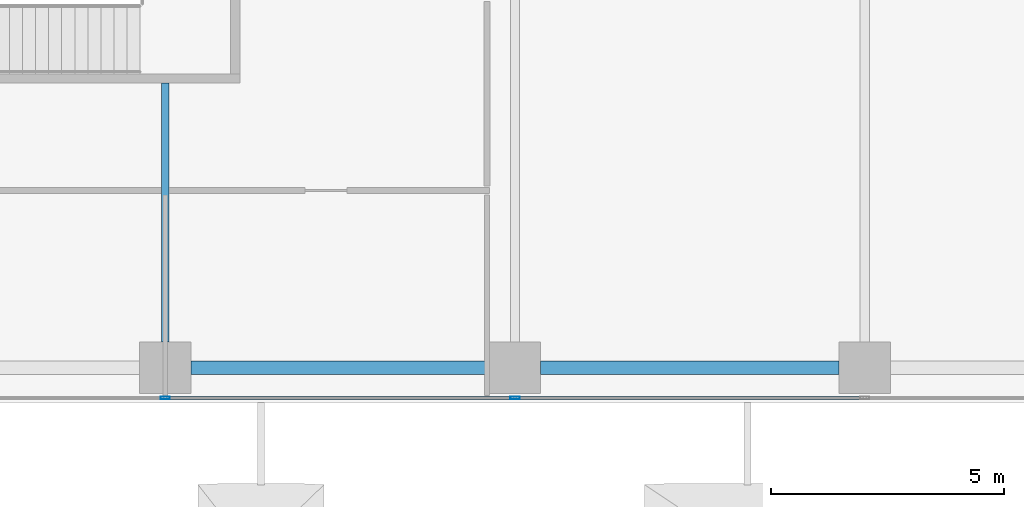
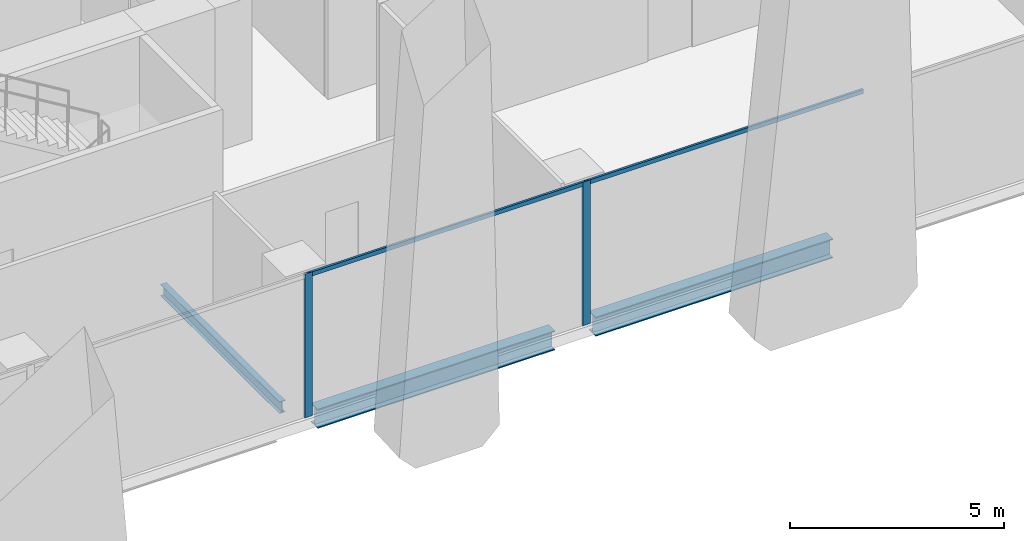
# One storey, part 5 of 35: 4 members, 3 beams, 1 element without a shape of its own.
"""IFC4 building model written with IfcOpenShell, lengths in metres."""

from ifc_helpers import new_model, si_unit, direction, frame, origin, origin_2d, place, context, subcontext, project, spatial, hollow_rectangle, i_section, extrude, source, transform, mapped, material, material_profile, profile_set, type_object, element, aggregate, save


model = new_model("IFC4")

# Units and contexts
model_context = context("Model", 3, precision=1e-05, world=origin(), true_north=direction((0.0, 1.0)))
body_context = subcontext(model_context, "Body", "Model", "MODEL_VIEW")
ifc_project = project(units=[si_unit("LENGTHUNIT", "METRE"), si_unit("AREAUNIT", "SQUARE_METRE"), si_unit("VOLUMEUNIT", "CUBIC_METRE"), si_unit("PLANEANGLEUNIT", "RADIAN"), si_unit("MASSUNIT", "GRAM", prefix="KILO")], contexts=[model_context])

# Site, building, storey
site_placement = place(None, origin())
site = spatial("IfcSite", under=ifc_project, at=site_placement, CompositionType="ELEMENT")
building_placement = place(site_placement, origin())
building = spatial("IfcBuilding", under=site, at=building_placement, Name="Khomas Fold Tower", CompositionType="ELEMENT")
storey_placement = place(building_placement, frame((0.0, 0.0, 119.10009765625)))
storey = spatial("IfcBuildingStorey", under=building, at=storey_placement, Name="L25", CompositionType="ELEMENT", Elevation=119.10009765625)

# Beams
ifc_material_1 = material(Name="Steel S355", Category="steel")
ifc_material_profile_1 = material_profile(ifc_material_1, i_section(OverallWidth=0.300048828125, OverallDepth=0.550048828125, WebThickness=0.014892578125, FlangeThickness=0.029052734375, at=origin_2d()), Name="HE 550 B")
ifc_profile_set_1 = profile_set([ifc_material_profile_1], Name="Steel S355")
beam_type_1 = type_object("IfcBeamType", Name="HE 550 B spandrel SB2", PredefinedType="SPANDREL", material=ifc_profile_set_1)
shared_shape_1 = source(origin(), body_context, "Body", "SweptSolid", [
    extrude(i_section(OverallWidth=0.300048828125, OverallDepth=0.550048828125, WebThickness=0.014892578125, FlangeThickness=0.029052734375, at=origin_2d()), origin(), (0.0, 0.0, 1.0), 6.39990234375),
])
for number, where, z_axis, x_axis, name in (
    (1, (20.050048828125, 2.25, -0.5751953125), (1.0, 0.0, 0.0), (0.0, 1.0, 0.0), "SB2"),
    (2, (27.550048828125, 2.25, -0.5751953125), (1.0, 0.0, 0.0), (0.0, 1.0, 0.0), "SB2"),
):
    element("IfcBeam", number, at=place(storey_placement, frame(where, z_axis=z_axis, x_axis=x_axis)), inside=storey, type_object=beam_type_1, Name=name, PredefinedType="SPANDREL", context=body_context, shape_type="MappedRepresentation", body=[
        mapped(shared_shape_1, transform((0.0, 0.0, 0.0))),
    ])
ifc_material_2 = material(Name="Steel S355", Category="steel")
ifc_material_profile_2 = material_profile(ifc_material_2, i_section(OverallWidth=0.159912109375, OverallDepth=0.330078125, WebThickness=0.007568359375, FlangeThickness=0.011474609375, at=origin_2d()), Name="IPE 330")
ifc_profile_set_2 = profile_set([ifc_material_profile_2], Name="Steel S355")
beam_type_2 = type_object("IfcBeamType", Name="IPE 330 beam JB1", PredefinedType="BEAM", material=ifc_profile_set_2)
shared_shape_2 = source(origin(), body_context, "Body", "SweptSolid", [
    extrude(i_section(OverallWidth=0.159912109375, OverallDepth=0.330078125, WebThickness=0.007568359375, FlangeThickness=0.011474609375, at=origin_2d()), origin(), (0.0, 0.0, 1.0), 5.550048828125),
])
beam_placement = place(storey_placement, frame((19.5, 2.800048828125, -0.465087890625), z_axis=(0.0, 1.0, 0.0), x_axis=(-1.0, 0.0, 0.0)))
element("IfcBeam", 3, at=beam_placement, inside=storey, type_object=beam_type_2, Name="JB1", PredefinedType="BEAM", context=body_context, shape_type="MappedRepresentation", body=[
    mapped(shared_shape_2, transform((0.0, 0.0, 0.0))),
])

# Curtain wall, members
ifc_material_3 = material(Name="Aluminium framed double glazing", Category="aluminium")
curtain_wall_type = type_object("IfcCurtainWallType", Name="SK-Unitised clear-glass wall, growing floors CW1", PredefinedType="NOTDEFINED", material=ifc_material_3)
curtain_wall_placement = place(storey_placement, origin())
curtain_wall = element("IfcCurtainWall", 4, at=curtain_wall_placement, inside=storey, type_object=curtain_wall_type, Name="CW1 run L25 00-0", PredefinedType="NOTDEFINED")
ifc_material_4 = material(Name="Aluminium", Category="aluminium")
ifc_material_profile_3 = material_profile(ifc_material_4, hollow_rectangle(XDim=0.06005859375, YDim=0.1201171875, WallThickness=0.00390625, at=origin_2d()), Name="SK-Unitised clear-glass wall, growing floors transom CW1-T")
ifc_profile_set_3 = profile_set([ifc_material_profile_3], Name="Aluminium")
member_type_1 = type_object("IfcMemberType", Name="SK-Unitised clear-glass wall, growing floors transom CW1-T", PredefinedType="USERDEFINED", material=ifc_profile_set_3)
shared_shape_3 = source(origin(), body_context, "Body", "SweptSolid", [
    extrude(hollow_rectangle(XDim=0.06005859375, YDim=0.1201171875, WallThickness=0.00390625, at=origin_2d()), origin(), (0.0, 0.0, 1.0), 7.43994140625),
])
member_1_placement = place(storey_placement, frame((19.530029296875, 1.60009765625, 4.039794921875), z_axis=(1.0, 0.0, 0.0), x_axis=(0.0, 1.0, 0.0)))
member_1 = element("IfcMember", 5, at=member_1_placement, type_object=member_type_1, Name="CW1 transom 4", ObjectType="TRANSOM", PredefinedType="USERDEFINED", context=body_context, shape_type="MappedRepresentation", body=[
    mapped(shared_shape_3, transform((0.0, 0.0, 0.0))),
])
member_2_placement = place(storey_placement, frame((27.030029296875, 1.60009765625, 4.039794921875), z_axis=(1.0, 0.0, 0.0), x_axis=(0.0, 1.0, 0.0)))
member_2 = element("IfcMember", 6, at=member_2_placement, type_object=member_type_1, Name="CW1 transom 5", ObjectType="TRANSOM", PredefinedType="USERDEFINED", context=body_context, shape_type="MappedRepresentation", body=[
    mapped(shared_shape_3, transform((0.0, 0.0, 0.0))),
])
ifc_material_5 = material(Name="Aluminium", Category="aluminium")
ifc_material_profile_4 = material_profile(ifc_material_5, hollow_rectangle(XDim=0.06005859375, YDim=0.199951171875, WallThickness=0.00390625, at=origin_2d()), Name="SK-Unitised clear-glass wall, growing floors mullion CW1-M")
ifc_profile_set_4 = profile_set([ifc_material_profile_4], Name="Aluminium")
member_type_2 = type_object("IfcMemberType", Name="SK-Unitised clear-glass wall, growing floors mullion CW1-M", PredefinedType="MULLION", material=ifc_profile_set_4)
shared_shape_4 = source(origin(), body_context, "Body", "SweptSolid", [
    extrude(hollow_rectangle(XDim=0.06005859375, YDim=0.199951171875, WallThickness=0.00390625, at=origin_2d()), origin(), (0.0, 0.0, 1.0), 4.099853515625),
])
member_3_placement = place(storey_placement, frame((19.5, 1.60009765625, 0.0), z_axis=(0.0, 0.0, 1.0), x_axis=(0.0, 1.0, 0.0)))
member_3 = element("IfcMember", 7, at=member_3_placement, type_object=member_type_2, Name="CW1 mullion 4", PredefinedType="MULLION", context=body_context, shape_type="MappedRepresentation", body=[
    mapped(shared_shape_4, transform((0.0, 0.0, 0.0))),
])
member_4_placement = place(storey_placement, frame((27.0, 1.60009765625, 0.0), z_axis=(0.0, 0.0, 1.0), x_axis=(0.0, 1.0, 0.0)))
member_4 = element("IfcMember", 8, at=member_4_placement, type_object=member_type_2, Name="CW1 mullion 5", PredefinedType="MULLION", context=body_context, shape_type="MappedRepresentation", body=[
    mapped(shared_shape_4, transform((0.0, 0.0, 0.0))),
])
aggregate(curtain_wall, [member_3, member_4, member_1, member_2])

save(model, "model.ifc")
